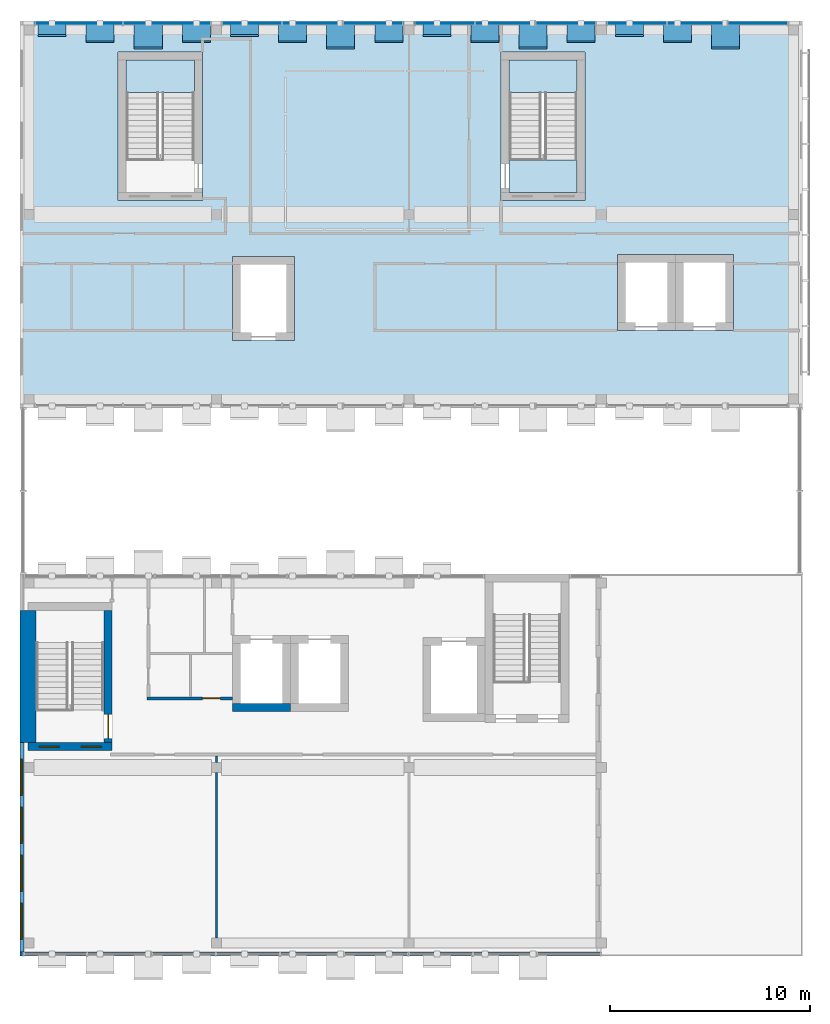
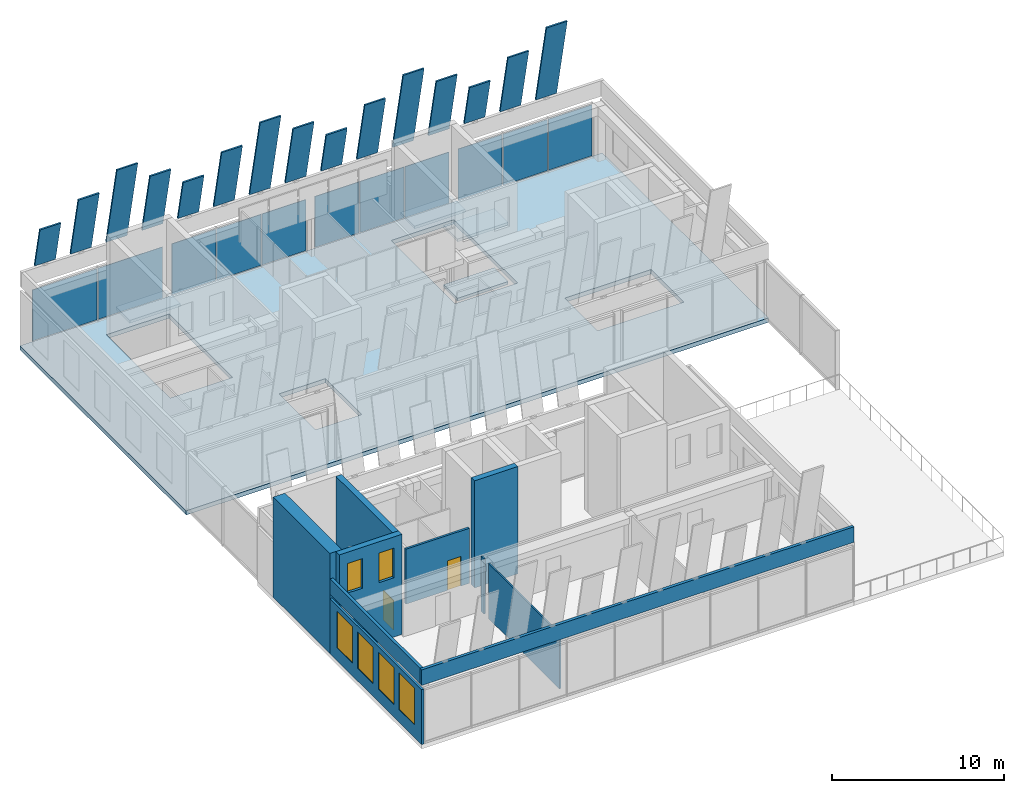
# One storey, part 16 of 26: 26 plates, 10 walls, 5 slabs, 4 doors, 4 windows, 8 openings, 6 elements without a shape of their own.
"""IFC4 building model written with IfcOpenShell, lengths in metres."""

from ifc_helpers import new_model, si_unit, direction, frame, frame_2d, origin, origin_2d, place, context, subcontext, project, spatial, polyline, rectangle, outline, extrude, material, layer, layer_set, layer_usage, material_profile, profile_set, type_object, element, fill, aggregate, save


model = new_model("IFC4")

# Units and contexts
model_context = context("Model", 3, precision=1e-05, world=origin(), true_north=direction((0.0, 1.0)))
body_context = subcontext(model_context, "Body", "Model", "MODEL_VIEW")
ifc_project = project(units=[si_unit("LENGTHUNIT", "METRE"), si_unit("AREAUNIT", "SQUARE_METRE"), si_unit("VOLUMEUNIT", "CUBIC_METRE"), si_unit("PLANEANGLEUNIT", "RADIAN"), si_unit("MASSUNIT", "GRAM", prefix="KILO")], contexts=[model_context])

# Site, building, storey
site_placement = place(None, origin())
site = spatial("IfcSite", under=ifc_project, at=site_placement, CompositionType="ELEMENT")
building_placement = place(site_placement, origin())
building = spatial("IfcBuilding", under=site, at=building_placement, Name="Nzadi Deep Aquarium and Research Tower", CompositionType="ELEMENT")
storey_placement = place(building_placement, frame((0.0, 0.0, 78.10009765625)))
storey = spatial("IfcBuildingStorey", under=building, at=storey_placement, Name="L16", CompositionType="ELEMENT", Elevation=78.10009765625)

# Plates
ifc_material_1 = material(Name="Anodised aluminium, bright", Category="aluminium")
ifc_material_profile_1 = material_profile(ifc_material_1, rectangle(XDim=1.39990234375, YDim=0.10009765625, at=origin_2d()))
ifc_profile_set_1 = profile_set([ifc_material_profile_1], Name="Anodised aluminium, bright")
plate_type_1 = type_object("IfcPlateType", Name="Crown fin anodised aluminium 1400x100, 3.0 m", PredefinedType="SHEET", material=ifc_profile_set_1)
for number, where, z_axis, x_axis, name in (
    (1, (1.39990234375, 46.35009765625, 5.430419921875), (0.0, -0.207933702079, 0.978142921837), (1.0, 0.0, 0.0), "Crown fin BN 1"),
    (2, (11.0, 46.35009765625, 5.430419921875), (0.0, -0.207933702079, 0.978142921837), (1.0, 0.0, 0.0), "Crown fin BN 5"),
    (3, (20.60009765625, 46.35009765625, 5.430419921875), (0.0, -0.207933702079, 0.978142921837), (1.0, 0.0, 0.0), "Crown fin BN 9"),
    (4, (30.199951171875, 46.35009765625, 5.430419921875), (0.0, -0.207933702079, 0.978142921837), (1.0, 0.0, 0.0), "Crown fin BN 13"),
):
    element("IfcPlate", number, at=place(storey_placement, frame(where, z_axis=z_axis, x_axis=x_axis)), inside=storey, type_object=plate_type_1, Name=name, PredefinedType="SHEET", context=body_context, shape_type="SweptSolid", body=[
        extrude(rectangle(XDim=1.39990234375, YDim=0.10009765625, at=origin_2d()), origin(), (0.0, 0.0, 1.0), 3.0),
    ])
ifc_material_2 = material(Name="Anodised aluminium, bright", Category="aluminium")
ifc_material_profile_2 = material_profile(ifc_material_2, rectangle(XDim=1.39990234375, YDim=0.10009765625, at=origin_2d()))
ifc_profile_set_2 = profile_set([ifc_material_profile_2], Name="Anodised aluminium, bright")
plate_type_2 = type_object("IfcPlateType", Name="Crown fin anodised aluminium 1400x100, 4.5 m", PredefinedType="SHEET", material=ifc_profile_set_2)
for number, where, z_axis, x_axis, name in (
    (5, (3.800048828125, 46.35009765625, 5.430419921875), (0.0, -0.207954138688, 0.978138577198), (1.0, 0.0, 0.0), "Crown fin BN 2"),
    (6, (8.60009765625, 46.35009765625, 5.430419921875), (0.0, -0.207954138688, 0.978138577198), (1.0, 0.0, 0.0), "Crown fin BN 4"),
    (7, (13.39990234375, 46.35009765625, 5.430419921875), (0.0, -0.207954138688, 0.978138577198), (1.0, 0.0, 0.0), "Crown fin BN 6"),
    (8, (18.199951171875, 46.35009765625, 5.430419921875), (0.0, -0.207954138688, 0.978138577198), (1.0, 0.0, 0.0), "Crown fin BN 8"),
    (9, (23.0, 46.35009765625, 5.430419921875), (0.0, -0.207954138688, 0.978138577198), (1.0, 0.0, 0.0), "Crown fin BN 10"),
    (10, (27.800048828125, 46.35009765625, 5.430419921875), (0.0, -0.207954138688, 0.978138577198), (1.0, 0.0, 0.0), "Crown fin BN 12"),
    (11, (32.60009765625, 46.35009765625, 5.430419921875), (0.0, -0.207954138688, 0.978138577198), (1.0, 0.0, 0.0), "Crown fin BN 14"),
):
    element("IfcPlate", number, at=place(storey_placement, frame(where, z_axis=z_axis, x_axis=x_axis)), inside=storey, type_object=plate_type_2, Name=name, PredefinedType="SHEET", context=body_context, shape_type="SweptSolid", body=[
        extrude(rectangle(XDim=1.39990234375, YDim=0.10009765625, at=origin_2d()), origin(), (0.0, 0.0, 1.0), 4.5),
    ])
ifc_material_3 = material(Name="Anodised aluminium, bright", Category="aluminium")
ifc_material_profile_3 = material_profile(ifc_material_3, rectangle(XDim=1.39990234375, YDim=0.10009765625, at=origin_2d()))
ifc_profile_set_3 = profile_set([ifc_material_profile_3], Name="Anodised aluminium, bright")
plate_type_3 = type_object("IfcPlateType", Name="Crown fin anodised aluminium 1400x100, 6.0 m", PredefinedType="SHEET", material=ifc_profile_set_3)
for number, where, z_axis, x_axis, name in (
    (12, (6.199951171875, 46.35009765625, 5.430419921875), (0.0, -0.207925426197, 0.978144681088), (1.0, 0.0, 0.0), "Crown fin BN 3"),
    (13, (15.800048828125, 46.35009765625, 5.430419921875), (0.0, -0.207925426197, 0.978144681088), (1.0, 0.0, 0.0), "Crown fin BN 7"),
    (14, (25.39990234375, 46.35009765625, 5.430419921875), (0.0, -0.207925426197, 0.978144681088), (1.0, 0.0, 0.0), "Crown fin BN 11"),
    (15, (35.0, 46.35009765625, 5.430419921875), (0.0, -0.207925426197, 0.978144681088), (1.0, 0.0, 0.0), "Crown fin BN 15"),
):
    element("IfcPlate", number, at=place(storey_placement, frame(where, z_axis=z_axis, x_axis=x_axis)), inside=storey, type_object=plate_type_3, Name=name, PredefinedType="SHEET", context=body_context, shape_type="SweptSolid", body=[
        extrude(rectangle(XDim=1.39990234375, YDim=0.10009765625, at=origin_2d()), origin(), (0.0, 0.0, 1.0), 6.0),
    ])

# Curtain wall, plates
ifc_material_4 = material(Name="Aluminium unitised frame deep", Category="aluminium")
ifc_layer_1 = layer(ifc_material_4, 0.22509765625)
ifc_layer_set_1 = layer_set([ifc_layer_1], Name="Aluminium unitised frame deep")
curtain_wall_type = type_object("IfcCurtainWallType", Name="Curtain wall Unitised Deep 225", PredefinedType="NOTDEFINED", material=ifc_layer_set_1)
curtain_wall_1_placement = place(storey_placement, origin())
curtain_wall_1 = element("IfcCurtainWall", 16, at=curtain_wall_1_placement, inside=storey, type_object=curtain_wall_type, Name="Unitised curtain wall blade B north L16", PredefinedType="NOTDEFINED")
ifc_material_5 = material(Name="Glass, sage tint", Category="glass")
ifc_layer_2 = layer(ifc_material_5, 0.0400390625)
ifc_layer_set_2 = layer_set([ifc_layer_2], Name="Glass, sage tint")
plate_type_4 = type_object("IfcPlateType", Name="Glazing panel 40 Unitised Deep", PredefinedType="CURTAIN_PANEL", material=ifc_layer_set_2)
plate_1_placement = place(storey_placement, frame((2.7275390625, 46.33740234375, 0.139892578125), z_axis=(0.0, 0.0, 1.0), x_axis=(1.0, 0.0, 0.0)))
plate_1 = element("IfcPlate", 17, at=plate_1_placement, type_object=plate_type_4, Name="CW196 panel 1.1", PredefinedType="CURTAIN_PANEL", context=body_context, shape_type="SweptSolid", body=[
    extrude(rectangle(XDim=4.3349609375, YDim=0.0400390625, at=origin_2d()), origin(), (0.0, 0.0, 1.0), 3.6201171875),
])
plate_2_placement = place(storey_placement, frame((7.12255859375, 46.33740234375, 0.139892578125), z_axis=(0.0, 0.0, 1.0), x_axis=(1.0, 0.0, 0.0)))
plate_2 = element("IfcPlate", 18, at=plate_2_placement, type_object=plate_type_4, Name="CW196 panel 2.1", PredefinedType="CURTAIN_PANEL", context=body_context, shape_type="SweptSolid", body=[
    extrude(rectangle(XDim=4.3349609375, YDim=0.0400390625, at=origin_2d()), origin(), (0.0, 0.0, 1.0), 3.6201171875),
])
aggregate(curtain_wall_1, [plate_1, plate_2])

curtain_wall_2_placement = place(storey_placement, origin())
curtain_wall_2 = element("IfcCurtainWall", 19, at=curtain_wall_2_placement, inside=storey, type_object=curtain_wall_type, Name="Unitised curtain wall blade B north L16", PredefinedType="NOTDEFINED")
plate_3_placement = place(storey_placement, frame((11.381591796875, 46.33740234375, 0.139892578125), z_axis=(0.0, 0.0, 1.0), x_axis=(1.0, 0.0, 0.0)))
plate_3 = element("IfcPlate", 20, at=plate_3_placement, type_object=plate_type_4, Name="CW197 panel 1.1", PredefinedType="CURTAIN_PANEL", context=body_context, shape_type="SweptSolid", body=[
    extrude(rectangle(XDim=2.943359375, YDim=0.0400390625, at=origin_2d()), origin(), (0.0, 0.0, 1.0), 3.6201171875),
])
plate_4_placement = place(storey_placement, frame((14.39990234375, 46.33740234375, 0.139892578125), z_axis=(0.0, 0.0, 1.0), x_axis=(1.0, 0.0, 0.0)))
plate_4 = element("IfcPlate", 21, at=plate_4_placement, type_object=plate_type_4, Name="CW197 panel 2.1", PredefinedType="CURTAIN_PANEL", context=body_context, shape_type="SweptSolid", body=[
    extrude(rectangle(XDim=2.973388671875, YDim=0.0400390625, at=origin_2d()), origin(), (0.0, 0.0, 1.0), 3.6201171875),
])
plate_5_placement = place(storey_placement, frame((17.418212890625, 46.33740234375, 0.139892578125), z_axis=(0.0, 0.0, 1.0), x_axis=(1.0, 0.0, 0.0)))
plate_5 = element("IfcPlate", 22, at=plate_5_placement, type_object=plate_type_4, Name="CW197 panel 3.1", PredefinedType="CURTAIN_PANEL", context=body_context, shape_type="SweptSolid", body=[
    extrude(rectangle(XDim=2.943359375, YDim=0.0400390625, at=origin_2d()), origin(), (0.0, 0.0, 1.0), 3.6201171875),
])
aggregate(curtain_wall_2, [plate_3, plate_4, plate_5])

curtain_wall_3_placement = place(storey_placement, origin())
curtain_wall_3 = element("IfcCurtainWall", 23, at=curtain_wall_3_placement, inside=storey, type_object=curtain_wall_type, Name="Unitised curtain wall blade B north L16", PredefinedType="NOTDEFINED")
plate_6_placement = place(storey_placement, frame((20.981689453125, 46.33740234375, 0.139892578125), z_axis=(0.0, 0.0, 1.0), x_axis=(1.0, 0.0, 0.0)))
plate_6 = element("IfcPlate", 24, at=plate_6_placement, type_object=plate_type_4, Name="CW198 panel 1.1", PredefinedType="CURTAIN_PANEL", context=body_context, shape_type="SweptSolid", body=[
    extrude(rectangle(XDim=2.943359375, YDim=0.0400390625, at=origin_2d()), origin(), (0.0, 0.0, 1.0), 3.6201171875),
])
plate_7_placement = place(storey_placement, frame((24.0, 46.33740234375, 0.139892578125), z_axis=(0.0, 0.0, 1.0), x_axis=(1.0, 0.0, 0.0)))
plate_7 = element("IfcPlate", 25, at=plate_7_placement, type_object=plate_type_4, Name="CW198 panel 2.1", PredefinedType="CURTAIN_PANEL", context=body_context, shape_type="SweptSolid", body=[
    extrude(rectangle(XDim=2.973388671875, YDim=0.0400390625, at=origin_2d()), origin(), (0.0, 0.0, 1.0), 3.6201171875),
])
plate_8_placement = place(storey_placement, frame((27.018310546875, 46.33740234375, 0.139892578125), z_axis=(0.0, 0.0, 1.0), x_axis=(1.0, 0.0, 0.0)))
plate_8 = element("IfcPlate", 26, at=plate_8_placement, type_object=plate_type_4, Name="CW198 panel 3.1", PredefinedType="CURTAIN_PANEL", context=body_context, shape_type="SweptSolid", body=[
    extrude(rectangle(XDim=2.943359375, YDim=0.0400390625, at=origin_2d()), origin(), (0.0, 0.0, 1.0), 3.6201171875),
])
aggregate(curtain_wall_3, [plate_6, plate_7, plate_8])

curtain_wall_4_placement = place(storey_placement, origin())
curtain_wall_4 = element("IfcCurtainWall", 27, at=curtain_wall_4_placement, inside=storey, type_object=curtain_wall_type, Name="Unitised curtain wall blade B north L16", PredefinedType="NOTDEFINED")
plate_9_placement = place(storey_placement, frame((30.581787109375, 46.33740234375, 0.139892578125), z_axis=(0.0, 0.0, 1.0), x_axis=(1.0, 0.0, 0.0)))
plate_9 = element("IfcPlate", 28, at=plate_9_placement, type_object=plate_type_4, Name="CW199 panel 1.1", PredefinedType="CURTAIN_PANEL", context=body_context, shape_type="SweptSolid", body=[
    extrude(rectangle(XDim=2.943359375, YDim=0.0400390625, at=origin_2d()), origin(), (0.0, 0.0, 1.0), 3.6201171875),
])
plate_10_placement = place(storey_placement, frame((33.60009765625, 46.33740234375, 0.139892578125), z_axis=(0.0, 0.0, 1.0), x_axis=(1.0, 0.0, 0.0)))
plate_10 = element("IfcPlate", 29, at=plate_10_placement, type_object=plate_type_4, Name="CW199 panel 2.1", PredefinedType="CURTAIN_PANEL", context=body_context, shape_type="SweptSolid", body=[
    extrude(rectangle(XDim=2.973388671875, YDim=0.0400390625, at=origin_2d()), origin(), (0.0, 0.0, 1.0), 3.6201171875),
])
plate_11_placement = place(storey_placement, frame((36.618408203125, 46.33740234375, 0.139892578125), z_axis=(0.0, 0.0, 1.0), x_axis=(1.0, 0.0, 0.0)))
plate_11 = element("IfcPlate", 30, at=plate_11_placement, type_object=plate_type_4, Name="CW199 panel 3.1", PredefinedType="CURTAIN_PANEL", context=body_context, shape_type="SweptSolid", body=[
    extrude(rectangle(XDim=2.943359375, YDim=0.0400390625, at=origin_2d()), origin(), (0.0, 0.0, 1.0), 3.6201171875),
])
aggregate(curtain_wall_4, [plate_9, plate_10, plate_11])

# Stair, slab
ifc_material_6 = material(Name="Concrete C35/45", Category="concrete")
stair_type = type_object("IfcStairType", Name="STAIR RETURN 3000", PredefinedType="NOTDEFINED", material=ifc_material_6)
stair_1_placement = place(storey_placement, origin())
stair_1 = element("IfcStair", 31, at=stair_1_placement, inside=storey, type_object=stair_type, Name="Stair ST-Z1-NW L16", PredefinedType="HALF_TURN_STAIR")
ifc_material_7 = material(Name="Concrete C35/45", Category="concrete")
ifc_layer_3 = layer(ifc_material_7, 0.199951171875)
ifc_layer_set_3 = layer_set([ifc_layer_3], Name="Concrete C35/45")
slab_type_1 = type_object("IfcSlabType", Name="LANDING 200", PredefinedType="LANDING", material=ifc_layer_set_3)
slab_1_placement = place(storey_placement, frame((0.0, 0.0, 1.89990234375)))
slab_1 = element("IfcSlab", 32, at=slab_1_placement, type_object=slab_type_1, Name="ST-Z1-NW landing 2", PredefinedType="LANDING", context=body_context, shape_type="SweptSolid", body=[
    extrude(outline(polyline([(5.10009765625, 42.8798828125), (8.5, 42.8798828125), (8.5, 44.5), (5.10009765625, 44.5), (5.10009765625, 42.8798828125)])), origin(), (0.0, 0.0, 1.0), 0.199951171875),
])
aggregate(stair_1, [slab_1])

# Stair, slabs
stair_2_placement = place(storey_placement, origin())
stair_2 = element("IfcStair", 33, at=stair_2_placement, inside=storey, type_object=stair_type, Name="Stair ST-Z1-NE L16", PredefinedType="HALF_TURN_STAIR")
slab_2_placement = place(storey_placement, frame((0.0, 0.0, -0.2001953125)))
slab_2 = element("IfcSlab", 34, at=slab_2_placement, type_object=slab_type_1, Name="ST-Z1-NE landing 1", PredefinedType="LANDING", context=body_context, shape_type="SweptSolid", body=[
    extrude(outline(polyline([(24.199951171875, 37.89990234375), (27.60009765625, 37.89990234375), (27.60009765625, 39.52001953125), (24.199951171875, 39.52001953125), (24.199951171875, 37.89990234375)])), origin(), (0.0, 0.0, 1.0), 0.2001953125),
])
slab_3_placement = place(storey_placement, frame((0.0, 0.0, 1.89990234375)))
slab_3 = element("IfcSlab", 35, at=slab_3_placement, type_object=slab_type_1, Name="ST-Z1-NE landing 2", PredefinedType="LANDING", context=body_context, shape_type="SweptSolid", body=[
    extrude(outline(polyline([(24.199951171875, 42.8798828125), (27.60009765625, 42.8798828125), (27.60009765625, 44.5), (24.199951171875, 44.5), (24.199951171875, 42.8798828125)])), origin(), (0.0, 0.0, 1.0), 0.199951171875),
])
slab_4_placement = place(storey_placement, frame((0.0, 0.0, 4.0)))
slab_4 = element("IfcSlab", 36, at=slab_4_placement, type_object=slab_type_1, Name="ST-Z1-NE landing 3", PredefinedType="LANDING", context=body_context, shape_type="SweptSolid", body=[
    extrude(outline(polyline([(24.199951171875, 37.89990234375), (27.60009765625, 37.89990234375), (27.60009765625, 39.52001953125), (24.199951171875, 39.52001953125), (24.199951171875, 37.89990234375)])), origin(), (0.0, 0.0, 1.0), 0.199951171875),
])
aggregate(stair_2, [slab_2, slab_3, slab_4])

# Slab
ifc_material_8 = material(Name="Concrete C35/45", Category="concrete")
ifc_layer_4 = layer(ifc_material_8, 0.300048828125)
ifc_layer_set_4 = layer_set([ifc_layer_4], Name="Concrete C35/45")
slab_type_2 = type_object("IfcSlabType", Name="RC floor slab 300", PredefinedType="FLOOR", material=ifc_layer_set_4)
slab_5_placement = place(storey_placement, frame((0.0, 0.0, -0.300048828125)))
element("IfcSlab", 37, at=slab_5_placement, inside=storey, type_object=slab_type_2, Name="Tower floor B L16", PredefinedType="FLOOR", context=body_context, shape_type="SweptSolid", body=[
    extrude(outline(polyline([(-0.199462890625, 27.14990234375), (38.85009765625, 27.14990234375), (38.85009765625, 46.449951171875), (-0.199462890625, 46.449951171875), (-0.199462890625, 27.14990234375)]), holes=[polyline([(8.89990234375, 44.89990234375), (8.89990234375, 37.5), (4.699951171875, 37.5), (4.699951171875, 44.89990234375), (8.89990234375, 44.89990234375)]), polyline([(28.0, 37.5), (23.800048828125, 37.5), (23.800048828125, 44.89990234375), (28.0, 44.89990234375), (28.0, 37.5)]), polyline([(10.39990234375, 30.5), (10.39990234375, 34.699951171875), (13.5, 34.699951171875), (13.5, 30.5), (10.39990234375, 30.5)]), polyline([(29.60009765625, 34.800048828125), (32.5, 34.800048828125), (35.39990234375, 34.800048828125), (35.39990234375, 31.0), (32.5, 31.0), (29.60009765625, 31.0), (29.60009765625, 34.800048828125)])]), origin(), (0.0, 0.0, 1.0), 0.300048828125),
])

# Wall, openings, windows
ifc_material_9 = material(Name="Graphite aluminium shingle", Category="aluminium")
ifc_layer_5 = layer(ifc_material_9, 0.0400390625, Category="cladding")
ifc_material_10 = material(Name="Concrete C35/45", Category="concrete")
ifc_layer_6 = layer(ifc_material_10, 0.06005859375, Category="cladding")
ifc_material_11 = material(Name="Mineral wool insulation")
ifc_layer_7 = layer(ifc_material_11, 0.050048828125, Category="insulation")
ifc_layer_set_5 = layer_set([ifc_layer_5, ifc_layer_6, ifc_layer_7], Name="Graphite aluminium shingle, Concrete C35/45, Mineral wool insulation")
ifc_layer_usage_1 = layer_usage(ifc_layer_set_5, "AXIS2", "POSITIVE", -0.074951171875)
wall_type_1 = type_object("IfcWallType", Name="End wall shingle over board-formed concrete 150", PredefinedType="ELEMENTEDWALL", material=ifc_layer_set_5)
wall_1_placement = place(storey_placement, frame((-0.12451171875, 10.449951171875, 0.0), z_axis=(0.0, 0.0, 1.0), x_axis=(0.0, -1.0, 0.0)))
wall_1 = element("IfcWall", 38, at=wall_1_placement, inside=storey, type_object=wall_type_1, material=ifc_layer_usage_1, Name="End wall blade A west L16", PredefinedType="ELEMENTEDWALL", context=body_context, shape_type="SweptSolid", body=[
    extrude(rectangle(XDim=10.64990234375, YDim=0.14990234375, at=frame_2d((5.324951171875, 0.0))), origin(), (0.0, 0.0, 1.0), 3.89990234375),
])
opening_1_placement = place(wall_1_placement, frame((8.02490234375, 0.0, 0.89990234375)))
opening_1 = element("IfcOpeningElement", 39, at=opening_1_placement, cuts=wall_1, Name="Opening WN01", PredefinedType="OPENING", context=body_context, shape_type="SweptSolid", body=[
    extrude(rectangle(XDim=1.800048828125, YDim=2.60009765625, at=frame_2d((0.89990234375, 1.300048828125))), frame((0.0, 0.0849609375, 0.0), z_axis=(0.0, -1.0, 0.0), x_axis=(1.0, 0.0, 0.0)), (0.0, 0.0, 1.0), 0.169921875),
])
opening_2_placement = place(wall_1_placement, frame((5.625, 0.0, 0.89990234375)))
opening_2 = element("IfcOpeningElement", 40, at=opening_2_placement, cuts=wall_1, Name="Opening WN01", PredefinedType="OPENING", context=body_context, shape_type="SweptSolid", body=[
    extrude(rectangle(XDim=1.800048828125, YDim=2.60009765625, at=frame_2d((0.89990234375, 1.300048828125))), frame((0.0, 0.0849609375, 0.0), z_axis=(0.0, -1.0, 0.0), x_axis=(1.0, 0.0, 0.0)), (0.0, 0.0, 1.0), 0.169921875),
])
opening_3_placement = place(wall_1_placement, frame((3.22509765625, 0.0, 0.89990234375)))
opening_3 = element("IfcOpeningElement", 41, at=opening_3_placement, cuts=wall_1, Name="Opening WN01", PredefinedType="OPENING", context=body_context, shape_type="SweptSolid", body=[
    extrude(rectangle(XDim=1.800048828125, YDim=2.60009765625, at=frame_2d((0.89990234375, 1.300048828125))), frame((0.0, 0.0849609375, 0.0), z_axis=(0.0, -1.0, 0.0), x_axis=(1.0, 0.0, 0.0)), (0.0, 0.0, 1.0), 0.169921875),
])
opening_4_placement = place(wall_1_placement, frame((0.824951171875, 0.0, 0.89990234375)))
opening_4 = element("IfcOpeningElement", 42, at=opening_4_placement, cuts=wall_1, Name="Opening WN01", PredefinedType="OPENING", context=body_context, shape_type="SweptSolid", body=[
    extrude(rectangle(XDim=1.800048828125, YDim=2.60009765625, at=frame_2d((0.89990234375, 1.300048828125))), frame((0.0, 0.0849609375, 0.0), z_axis=(0.0, -1.0, 0.0), x_axis=(1.0, 0.0, 0.0)), (0.0, 0.0, 1.0), 0.169921875),
])
ifc_material_12 = material(Name="Aluminium window, sage tint glazing", Category="aluminium")
window_type = type_object("IfcWindowType", Name="Slot window 1800x2600 sill 900", PartitioningType="SINGLE_PANEL", PredefinedType="WINDOW", material=ifc_material_12)
window_1_placement = place(opening_1_placement, origin())
window_1 = element("IfcWindow", 43, at=window_1_placement, inside=storey, type_object=window_type, Name="Slot window L16 AW", OverallHeight=2.60009765625, OverallWidth=1.800048828125, PartitioningType="SINGLE_PANEL", PredefinedType="WINDOW", context=body_context, shape_type="SweptSolid", body=[
    extrude(rectangle(XDim=1.800048828125, YDim=2.60009765625, at=frame_2d((0.89990234375, 1.300048828125))), frame((0.0, 0.030029296875, 0.0), z_axis=(0.0, -1.0, 0.0), x_axis=(1.0, 0.0, 0.0)), (0.0, 0.0, 1.0), 0.06005859375),
])
fill(opening_1, window_1)
window_2_placement = place(opening_2_placement, origin())
window_2 = element("IfcWindow", 44, at=window_2_placement, inside=storey, type_object=window_type, Name="Slot window L16 AW", OverallHeight=2.60009765625, OverallWidth=1.800048828125, PartitioningType="SINGLE_PANEL", PredefinedType="WINDOW", context=body_context, shape_type="SweptSolid", body=[
    extrude(rectangle(XDim=1.800048828125, YDim=2.60009765625, at=frame_2d((0.89990234375, 1.300048828125))), frame((0.0, 0.030029296875, 0.0), z_axis=(0.0, -1.0, 0.0), x_axis=(1.0, 0.0, 0.0)), (0.0, 0.0, 1.0), 0.06005859375),
])
fill(opening_2, window_2)
window_3_placement = place(opening_3_placement, origin())
window_3 = element("IfcWindow", 45, at=window_3_placement, inside=storey, type_object=window_type, Name="Slot window L16 AW", OverallHeight=2.60009765625, OverallWidth=1.800048828125, PartitioningType="SINGLE_PANEL", PredefinedType="WINDOW", context=body_context, shape_type="SweptSolid", body=[
    extrude(rectangle(XDim=1.800048828125, YDim=2.60009765625, at=frame_2d((0.89990234375, 1.300048828125))), frame((0.0, 0.030029296875, 0.0), z_axis=(0.0, -1.0, 0.0), x_axis=(1.0, 0.0, 0.0)), (0.0, 0.0, 1.0), 0.06005859375),
])
fill(opening_3, window_3)
window_4_placement = place(opening_4_placement, origin())
window_4 = element("IfcWindow", 46, at=window_4_placement, inside=storey, type_object=window_type, Name="Slot window L16 AW", OverallHeight=2.60009765625, OverallWidth=1.800048828125, PartitioningType="SINGLE_PANEL", PredefinedType="WINDOW", context=body_context, shape_type="SweptSolid", body=[
    extrude(rectangle(XDim=1.800048828125, YDim=2.60009765625, at=frame_2d((0.89990234375, 1.300048828125))), frame((0.0, 0.030029296875, 0.0), z_axis=(0.0, -1.0, 0.0), x_axis=(1.0, 0.0, 0.0)), (0.0, 0.0, 1.0), 0.06005859375),
])
fill(opening_4, window_4)

# Walls
ifc_layer_8 = layer(ifc_material_9, 0.050048828125, Category="cladding")
ifc_layer_9 = layer(ifc_material_10, 0.14990234375, Category="structure")
ifc_layer_set_6 = layer_set([ifc_layer_8, ifc_layer_9], Name="Graphite aluminium shingle, Concrete C35/45")
ifc_layer_usage_2 = layer_usage(ifc_layer_set_6, "AXIS2", "POSITIVE", -0.0999755859375)
wall_type_2 = type_object("IfcWallType", Name="Parapet board-formed concrete 200 tower roof", PredefinedType="PARAPET", material=ifc_layer_set_6)
wall_2_placement = place(storey_placement, frame((-0.199462890625, -0.10009765625, 4.199951171875), z_axis=(0.0, 0.0, 1.0), x_axis=(1.0, 0.0, 0.0)))
element("IfcWall", 47, at=wall_2_placement, inside=storey, type_object=wall_type_2, material=ifc_layer_usage_2, Name="Parapet", PredefinedType="PARAPET", context=body_context, shape_type="SweptSolid", body=[
    extrude(rectangle(XDim=29.0, YDim=0.199951171875, at=frame_2d((14.5, 0.0))), origin(), (0.0, 0.0, 1.0), 1.099853515625),
])
ifc_layer_usage_3 = layer_usage(ifc_layer_set_6, "AXIS2", "POSITIVE", -0.0999755859375)
wall_3_placement = place(storey_placement, frame((-0.099365234375, 10.449951171875, 4.199951171875), z_axis=(0.0, 0.0, 1.0), x_axis=(0.0, -1.0, 0.0)))
element("IfcWall", 48, at=wall_3_placement, inside=storey, type_object=wall_type_2, material=ifc_layer_usage_3, Name="Parapet", PredefinedType="PARAPET", context=body_context, shape_type="SweptSolid", body=[
    extrude(rectangle(XDim=10.449951171875, YDim=0.199951171875, at=frame_2d((5.22509765625, 0.0))), origin(), (0.0, 0.0, 1.0), 1.099853515625),
])
ifc_material_13 = material(Name="Blockwork masonry", Category="masonry")
ifc_layer_10 = layer(ifc_material_13, 0.10009765625)
ifc_layer_set_7 = layer_set([ifc_layer_10], Name="Blockwork masonry")
wall_type_3 = type_object("IfcWallType", Name="Partition 100 EI 30", PredefinedType="PARTITIONING", material=ifc_layer_set_7)
wall_4_placement = place(storey_placement, frame((9.60009765625, 0.699951171875, 0.0), z_axis=(0.0, 0.0, 1.0), x_axis=(0.0, 1.0, 0.0)))
element("IfcWall", 49, at=wall_4_placement, inside=storey, type_object=wall_type_3, Name="W-Z1-L16-P017", PredefinedType="PARTITIONING", context=body_context, shape_type="SweptSolid", body=[
    extrude(rectangle(XDim=8.25, YDim=0.10009765625, at=frame_2d((4.125, 0.0))), origin(), (0.0, 0.0, 1.0), 3.89990234375),
])
wall_5_placement = place(storey_placement, frame((9.60009765625, 9.449951171875, 0.0), z_axis=(0.0, 0.0, 1.0), x_axis=(0.0, 1.0, 0.0)))
element("IfcWall", 50, at=wall_5_placement, inside=storey, type_object=wall_type_3, Name="W-Z1-L16-P018", PredefinedType="PARTITIONING", context=body_context, shape_type="SweptSolid", body=[
    extrude(rectangle(XDim=0.324951171875, YDim=0.10009765625, at=frame_2d((0.16259765625, 0.0))), origin(), (0.0, 0.0, 1.0), 3.89990234375),
])

# Wall, opening, door
ifc_material_14 = material(Name="Blockwork masonry", Category="masonry")
ifc_layer_11 = layer(ifc_material_14, 0.14990234375)
ifc_layer_set_8 = layer_set([ifc_layer_11], Name="Blockwork masonry")
wall_type_4 = type_object("IfcWallType", Name="Partition 150 EI 60", PredefinedType="PARTITIONING", material=ifc_layer_set_8)
wall_6_placement = place(storey_placement, frame((6.125, 12.64990234375, 0.0), z_axis=(0.0, 0.0, 1.0), x_axis=(1.0, 0.0, 0.0)))
wall_6 = element("IfcWall", 51, at=wall_6_placement, inside=storey, type_object=wall_type_4, Name="W-Z1-L16-P008", PredefinedType="PARTITIONING", context=body_context, shape_type="SweptSolid", body=[
    extrude(rectangle(XDim=4.26904296875, YDim=0.14990234375, at=frame_2d((2.134521484375, 0.0))), origin(), (0.0, 0.0, 1.0), 3.89990234375),
])
opening_5_placement = place(wall_6_placement, frame((2.77490234375, 0.0, 0.0)))
opening_5 = element("IfcOpeningElement", 52, at=opening_5_placement, cuts=wall_6, Name="Opening D171003", PredefinedType="OPENING", context=body_context, shape_type="SweptSolid", body=[
    extrude(rectangle(XDim=0.89990234375, YDim=2.10009765625, at=frame_2d((0.449951171875, 1.050048828125))), frame((0.0, 0.0849609375, 0.0), z_axis=(0.0, -1.0, 0.0), x_axis=(1.0, 0.0, 0.0)), (0.0, 0.0, 1.0), 0.169921875),
])
ifc_material_15 = material(Name="Fire-rated steel door", Category="steel")
ifc_layer_12 = layer(ifc_material_15, 0.050048828125)
ifc_layer_set_9 = layer_set([ifc_layer_12], Name="Fire-rated steel door")
door_type_1 = type_object("IfcDoorType", Name="Door 900x2100 EI 60 single", OperationType="SINGLE_SWING_LEFT", PredefinedType="DOOR", material=ifc_layer_set_9)
door_1_placement = place(opening_5_placement, origin())
door_1 = element("IfcDoor", 53, at=door_1_placement, inside=storey, type_object=door_type_1, Name="D171003", OperationType="SINGLE_SWING_RIGHT", OverallHeight=2.10009765625, OverallWidth=0.89990234375, PredefinedType="DOOR", context=body_context, shape_type="SweptSolid", body=[
    extrude(rectangle(XDim=0.89990234375, YDim=2.10009765625, at=frame_2d((0.449951171875, 1.050048828125))), frame((0.0, 0.02490234375, 0.0), z_axis=(0.0, -1.0, 0.0), x_axis=(1.0, 0.0, 0.0)), (0.0, 0.0, 1.0), 0.050048828125),
])
fill(opening_5, door_1)

# Wall, openings, doors
ifc_material_16 = material(Name="Concrete C35/45", Category="concrete")
ifc_layer_13 = layer(ifc_material_16, 0.39990234375)
ifc_layer_set_10 = layer_set([ifc_layer_13], Name="Concrete C35/45")
wall_type_5 = type_object("IfcWallType", Name="RC core wall 400, 7.10 m high", PredefinedType="SHEAR", material=ifc_layer_set_10)
wall_7_placement = place(storey_placement, frame((0.199951171875, 10.25, 0.0), z_axis=(0.0, 0.0, 1.0), x_axis=(1.0, 0.0, 0.0)))
wall_7 = element("IfcWall", 54, at=wall_7_placement, inside=storey, type_object=wall_type_5, Name="W-CORE-ST-Z1-SW-L16-S", PredefinedType="SHEAR", context=body_context, shape_type="SweptSolid", body=[
    extrude(rectangle(XDim=4.199951171875, YDim=0.39990234375, at=frame_2d((2.10009765625, 0.0))), origin(), (0.0, 0.0, 1.0), 7.099853515625),
])
opening_6_placement = place(wall_7_placement, frame((0.550048828125, 0.0, 4.199951171875)))
opening_6 = element("IfcOpeningElement", 55, at=opening_6_placement, cuts=wall_7, Name="Opening DS-Z1-SW-ROOFA", PredefinedType="OPENING", context=body_context, shape_type="SweptSolid", body=[
    extrude(rectangle(XDim=1.0, YDim=2.10009765625, at=frame_2d((0.5, 1.050048828125))), frame((0.0, 0.2099609375, 0.0), z_axis=(0.0, -1.0, 0.0), x_axis=(1.0, 0.0, 0.0)), (0.0, 0.0, 1.0), 0.419921875),
])
opening_7_placement = place(wall_7_placement, frame((2.64990234375, 0.0, 4.199951171875)))
opening_7 = element("IfcOpeningElement", 56, at=opening_7_placement, cuts=wall_7, Name="Opening DS-Z1-SW-ROOFB", PredefinedType="OPENING", context=body_context, shape_type="SweptSolid", body=[
    extrude(rectangle(XDim=1.0, YDim=2.10009765625, at=frame_2d((0.5, 1.050048828125))), frame((0.0, 0.2099609375, 0.0), z_axis=(0.0, -1.0, 0.0), x_axis=(1.0, 0.0, 0.0)), (0.0, 0.0, 1.0), 0.419921875),
])
ifc_material_17 = material(Name="Steel, powder coated", Category="steel")
door_type_2 = type_object("IfcDoorType", Name="STAIR DOOR 1000x2100 EI 60", OperationType="SINGLE_SWING_LEFT", PredefinedType="DOOR", material=ifc_material_17)
door_2_placement = place(opening_6_placement, frame((1.0, 0.0, 0.0), z_axis=(0.0, 0.0, 1.0), x_axis=(-1.0, 0.0, 0.0)))
door_2 = element("IfcDoor", 57, at=door_2_placement, inside=storey, type_object=door_type_2, Name="Stair door ST-Z1-SW roof A", OperationType="SINGLE_SWING_LEFT", OverallHeight=2.10009765625, OverallWidth=1.0, PredefinedType="DOOR", context=body_context, shape_type="SweptSolid", body=[
    extrude(rectangle(XDim=1.0, YDim=2.10009765625, at=frame_2d((0.5, 1.050048828125))), frame((0.0, 0.02490234375, 0.0), z_axis=(0.0, -1.0, 0.0), x_axis=(1.0, 0.0, 0.0)), (0.0, 0.0, 1.0), 0.050048828125),
])
fill(opening_6, door_2)
door_3_placement = place(opening_7_placement, frame((1.0, 0.0, 0.0), z_axis=(0.0, 0.0, 1.0), x_axis=(-1.0, 0.0, 0.0)))
door_3 = element("IfcDoor", 58, at=door_3_placement, inside=storey, type_object=door_type_2, Name="Stair door ST-Z1-SW roof B", OperationType="SINGLE_SWING_RIGHT", OverallHeight=2.10009765625, OverallWidth=1.0, PredefinedType="DOOR", context=body_context, shape_type="SweptSolid", body=[
    extrude(rectangle(XDim=1.0, YDim=2.10009765625, at=frame_2d((0.5, 1.050048828125))), frame((0.0, 0.02490234375, 0.0), z_axis=(0.0, -1.0, 0.0), x_axis=(1.0, 0.0, 0.0)), (0.0, 0.0, 1.0), 0.050048828125),
])
fill(opening_7, door_3)

# Wall, opening, door
wall_8_placement = place(storey_placement, frame((4.199951171875, 10.449951171875, 0.0), z_axis=(0.0, 0.0, 1.0), x_axis=(0.0, 1.0, 0.0)))
wall_8 = element("IfcWall", 59, at=wall_8_placement, inside=storey, type_object=wall_type_5, Name="W-CORE-ST-Z1-SW-L16-E", PredefinedType="SHEAR", context=body_context, shape_type="SweptSolid", body=[
    extrude(rectangle(XDim=6.60009765625, YDim=0.39990234375, at=frame_2d((3.300048828125, 0.0))), origin(), (0.0, 0.0, 1.0), 7.099853515625),
])
opening_8_placement = place(wall_8_placement, frame((0.2099609375, 0.0, 0.0)))
opening_8 = element("IfcOpeningElement", 60, at=opening_8_placement, cuts=wall_8, Name="Opening DS-Z1-SW-L16", PredefinedType="OPENING", context=body_context, shape_type="SweptSolid", body=[
    extrude(rectangle(XDim=1.199951171875, YDim=2.10009765625, at=frame_2d((0.60009765625, 1.050048828125))), frame((0.0, 0.2099609375, 0.0), z_axis=(0.0, -1.0, 0.0), x_axis=(1.0, 0.0, 0.0)), (0.0, 0.0, 1.0), 0.419921875),
])
ifc_material_18 = material(Name="Steel, powder coated", Category="steel")
door_type_3 = type_object("IfcDoorType", Name="STAIR DOOR 1200x2100 EI 60", OperationType="SINGLE_SWING_LEFT", PredefinedType="DOOR", material=ifc_material_18)
door_4_placement = place(opening_8_placement, origin())
door_4 = element("IfcDoor", 61, at=door_4_placement, inside=storey, type_object=door_type_3, Name="Stair door ST-Z1-SW L16", OperationType="SINGLE_SWING_RIGHT", OverallHeight=2.10009765625, OverallWidth=1.199951171875, PredefinedType="DOOR", context=body_context, shape_type="SweptSolid", body=[
    extrude(rectangle(XDim=1.199951171875, YDim=2.10009765625, at=frame_2d((0.60009765625, 1.050048828125))), frame((0.0, 0.02490234375, 0.0), z_axis=(0.0, -1.0, 0.0), x_axis=(1.0, 0.0, 0.0)), (0.0, 0.0, 1.0), 0.050048828125),
])
fill(opening_8, door_4)

# Walls
ifc_material_19 = material(Name="Concrete C35/45", Category="concrete")
ifc_layer_14 = layer(ifc_material_19, 0.39990234375)
ifc_layer_set_11 = layer_set([ifc_layer_14], Name="Concrete C35/45")
wall_type_6 = type_object("IfcWallType", Name="RC core wall 400, 7.50 to 7.70 m high", PredefinedType="SHEAR", material=ifc_layer_set_11)
wall_9_placement = place(storey_placement, frame((10.39990234375, 12.199951171875, 0.0), z_axis=(0.0, 0.0, 1.0), x_axis=(1.0, 0.0, 0.0)))
element("IfcWall", 62, at=wall_9_placement, inside=storey, type_object=wall_type_6, Name="W-CORE-TL1-L16-S", PredefinedType="SHEAR", context=body_context, shape_type="SweptSolid", body=[
    extrude(rectangle(XDim=2.900146484375, YDim=0.39990234375, at=frame_2d((1.4501953125, 0.0))), origin(), (0.0, 0.0, 1.0), 7.599853515625),
])
ifc_material_20 = material(Name="Concrete C35/45", Category="concrete")
ifc_layer_15 = layer(ifc_material_20, 0.800048828125)
ifc_layer_set_12 = layer_set([ifc_layer_15], Name="Concrete C35/45")
wall_type_7 = type_object("IfcWallType", Name="RC core wall 800, 7.10 m high", PredefinedType="SHEAR", material=ifc_layer_set_12)
wall_10_placement = place(storey_placement, frame((0.200439453125, 10.449951171875, 0.0), z_axis=(0.0, 0.0, 1.0), x_axis=(0.0, 1.0, 0.0)))
element("IfcWall", 63, at=wall_10_placement, inside=storey, type_object=wall_type_7, Name="W-CORE-ST-Z1-SW-L16-W", PredefinedType="SHEAR", context=body_context, shape_type="SweptSolid", body=[
    extrude(rectangle(XDim=6.60009765625, YDim=0.800048828125, at=frame_2d((3.300048828125, 0.0))), origin(), (0.0, 0.0, 1.0), 7.099853515625),
])

save(model, "model.ifc")
